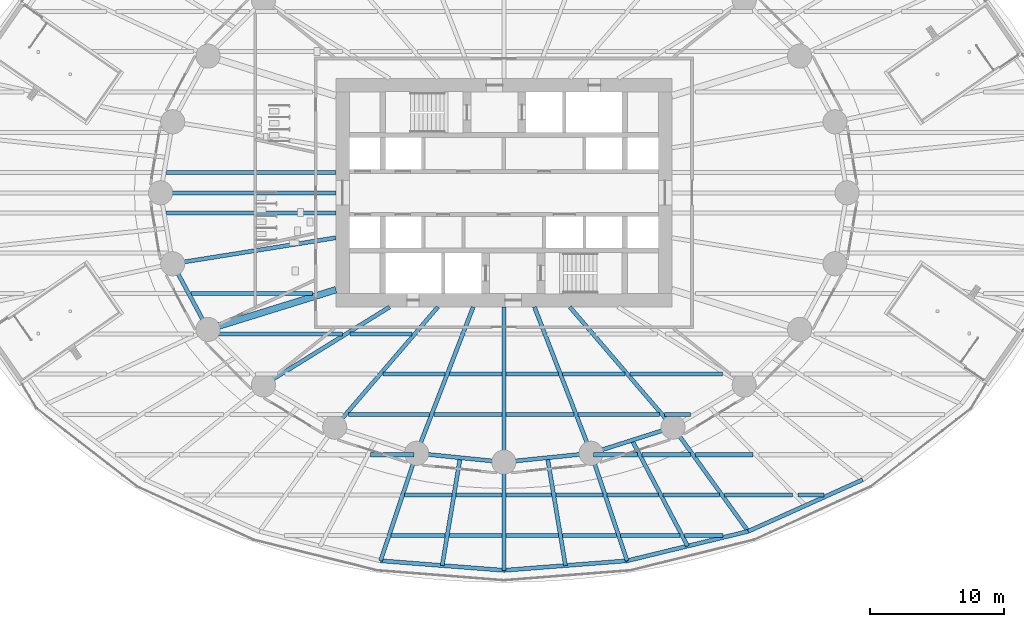
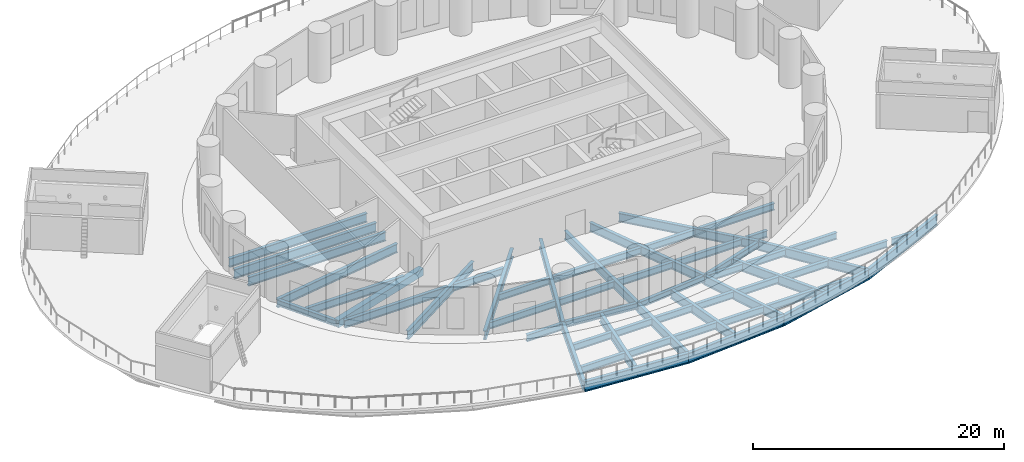
# One storey, part 2 of 17: 57 beams.
"""IFC4 building model written with IfcOpenShell, lengths in metres."""

from ifc_helpers import new_model, si_unit, direction, frame, origin, origin_2d, place, context, subcontext, project, spatial, hollow_rectangle, i_section, extrude, material, material_profile, profile_set, type_object, element, save


model = new_model("IFC4")

# Units and contexts
model_context = context("Model", 3, precision=1e-05, world=origin(), true_north=direction((0.0, 1.0)))
body_context = subcontext(model_context, "Body", "Model", "MODEL_VIEW")
ifc_project = project(units=[si_unit("LENGTHUNIT", "METRE"), si_unit("AREAUNIT", "SQUARE_METRE"), si_unit("VOLUMEUNIT", "CUBIC_METRE"), si_unit("PLANEANGLEUNIT", "RADIAN"), si_unit("MASSUNIT", "GRAM", prefix="KILO")], contexts=[model_context])

# Site, building, storey
site_placement = place(None, origin())
site = spatial("IfcSite", under=ifc_project, at=site_placement, CompositionType="ELEMENT")
building_placement = place(site_placement, origin())
building = spatial("IfcBuilding", under=site, at=building_placement, Name="Hankou Lantern Tower", CompositionType="ELEMENT")
storey_placement = place(building_placement, frame((0.0, 0.0, 24.60009765625)))
storey = spatial("IfcBuildingStorey", under=building, at=storey_placement, Name="L04", CompositionType="ELEMENT", Elevation=24.60009765625)

# Beams
ifc_material_1 = material(Name="Steel Q355B", Category="steel")
ifc_material_profile_1 = material_profile(ifc_material_1, i_section(OverallWidth=0.300048828125, OverallDepth=0.587890625, WebThickness=0.011962890625, FlangeThickness=0.02001953125, FilletRadius=0.01806640625, at=origin_2d()), Name="HM588x300x12x20")
ifc_profile_set_1 = profile_set([ifc_material_profile_1], Name="Steel Q355B")
beam_type_1 = type_object("IfcBeamType", Name="EB16 RING BEAM HM588x300x12x20", PredefinedType="SPANDREL", material=ifc_profile_set_1)
beam_1_placement = place(storey_placement, frame((-24.64697265625, -5.283203125, -0.544189453125), z_axis=(0.473609096023, -0.880735161194, 0.0), x_axis=(0.880735161194, 0.473609096023, 0.0)))
element("IfcBeam", 1, at=beam_1_placement, inside=storey, type_object=beam_type_1, Name="Ring beam R14-R15 L04", PredefinedType="SPANDREL", context=body_context, shape_type="SweptSolid", body=[
    extrude(i_section(OverallWidth=0.300048828125, OverallDepth=0.587890625, WebThickness=0.011962890625, FlangeThickness=0.02001953125, FilletRadius=0.01806640625, at=origin_2d()), origin(), (0.0, 0.0, 1.0), 5.548828125),
])
for number, where, z_axis, x_axis, name in (
    (2, (-6.494873046875, -19.391357421875, -0.544189453125), (0.994896616842, -0.100899562915, 0.0), (0.100899562915, 0.994896616842, 0.0), "Ring beam R18-R19 L04"),
    (3, (0.0, -20.050048828125, -0.544189453125), (0.994896616842, 0.100899562915, 0.0), (-0.100899562915, 0.994896616842, 0.0), "Ring beam R19-R20 L04"),
):
    element("IfcBeam", number, at=place(storey_placement, frame(where, z_axis=z_axis, x_axis=x_axis)), inside=storey, type_object=beam_type_1, Name=name, PredefinedType="SPANDREL", context=body_context, shape_type="SweptSolid", body=[
        extrude(i_section(OverallWidth=0.300048828125, OverallDepth=0.587890625, WebThickness=0.011962890625, FlangeThickness=0.02001953125, FilletRadius=0.01806640625, at=origin_2d()), origin(), (0.0, 0.0, 1.0), 6.528076171875),
    ])
beam_2_placement = place(storey_placement, frame((6.494873046875, -19.391357421875, -0.544189453125), z_axis=(0.952690479428, 0.303942182671, 0.0), x_axis=(-0.303942182671, 0.952690479428, 0.0)))
element("IfcBeam", 4, at=beam_2_placement, inside=storey, type_object=beam_type_1, Name="Ring beam R20-R21 L04", PredefinedType="SPANDREL", context=body_context, shape_type="SweptSolid", body=[
    extrude(i_section(OverallWidth=0.300048828125, OverallDepth=0.587890625, WebThickness=0.011962890625, FlangeThickness=0.02001953125, FilletRadius=0.01806640625, at=origin_2d()), origin(), (0.0, 0.0, 1.0), 6.398681640625),
])
ifc_material_2 = material(Name="Steel Q355B", Category="steel")
ifc_material_profile_2 = material_profile(ifc_material_2, i_section(OverallWidth=0.300048828125, OverallDepth=0.89990234375, WebThickness=0.01611328125, FlangeThickness=0.028076171875, FilletRadius=0.01806640625, at=origin_2d()), Name="HN900x300x16x28")
ifc_profile_set_2 = profile_set([ifc_material_profile_2], Name="Steel Q355B")
beam_type_2 = type_object("IfcBeamType", Name="PB13 PODIUM RADIAL BEAM HN900x300x16x28", PredefinedType="BEAM", material=ifc_profile_set_2)
beam_3_placement = place(storey_placement, frame((-6.494873046875, -19.391357421875, -0.7001953125), z_axis=(-0.317599116391, -0.948225079434, 0.0), x_axis=(0.948225079434, -0.317599116391, 0.0)))
element("IfcBeam", 5, at=beam_3_placement, inside=storey, type_object=beam_type_2, Name="Podium radial beam R18 L04", PredefinedType="BEAM", context=body_context, shape_type="SweptSolid", body=[
    extrude(i_section(OverallWidth=0.300048828125, OverallDepth=0.89990234375, WebThickness=0.01611328125, FlangeThickness=0.028076171875, FilletRadius=0.01806640625, at=origin_2d()), origin(), (0.0, 0.0, 1.0), 8.4365234375),
])
beam_4_placement = place(storey_placement, frame((0.0, -20.050048828125, -0.7001953125), z_axis=(0.0, -1.0, 0.0), x_axis=(1.0, 0.0, 0.0)))
element("IfcBeam", 6, at=beam_4_placement, inside=storey, type_object=beam_type_2, Name="Podium radial beam R19 L04", PredefinedType="BEAM", context=body_context, shape_type="SweptSolid", body=[
    extrude(i_section(OverallWidth=0.300048828125, OverallDepth=0.89990234375, WebThickness=0.01611328125, FlangeThickness=0.028076171875, FilletRadius=0.01806640625, at=origin_2d()), origin(), (0.0, 0.0, 1.0), 8.050048828125),
])
beam_5_placement = place(storey_placement, frame((6.494873046875, -19.391357421875, -0.7001953125), z_axis=(0.317599116391, -0.948225079434, 0.0), x_axis=(0.948225079434, 0.317599116391, 0.0)))
element("IfcBeam", 7, at=beam_5_placement, inside=storey, type_object=beam_type_2, Name="Podium radial beam R20 L04", PredefinedType="BEAM", context=body_context, shape_type="SweptSolid", body=[
    extrude(i_section(OverallWidth=0.300048828125, OverallDepth=0.89990234375, WebThickness=0.01611328125, FlangeThickness=0.028076171875, FilletRadius=0.01806640625, at=origin_2d()), origin(), (0.0, 0.0, 1.0), 8.4365234375),
])
beam_6_placement = place(storey_placement, frame((12.5908203125, -17.446533203125, -0.7001953125), z_axis=(0.585207097055, -0.810883871807, 0.0), x_axis=(0.810883871807, 0.585207097055, 0.0)))
element("IfcBeam", 8, at=beam_6_placement, inside=storey, type_object=beam_type_2, Name="Podium radial beam R21 L04", PredefinedType="BEAM", context=body_context, shape_type="SweptSolid", body=[
    extrude(i_section(OverallWidth=0.300048828125, OverallDepth=0.89990234375, WebThickness=0.01611328125, FlangeThickness=0.028076171875, FilletRadius=0.01806640625, at=origin_2d()), origin(), (0.0, 0.0, 1.0), 9.56103515625),
])
ifc_material_3 = material(Name="Steel Q355B", Category="steel")
ifc_material_profile_3 = material_profile(ifc_material_3, i_section(OverallWidth=0.300048828125, OverallDepth=1.0, WebThickness=0.01904296875, FlangeThickness=0.035888671875, FilletRadius=0.01806640625, at=origin_2d()), Name="HN1000x300x19x36")
ifc_profile_set_3 = profile_set([ifc_material_profile_3], Name="Steel Q355B")
beam_type_3 = type_object("IfcBeamType", Name="PR22 PODIUM RING BEAM HN1000x300x19x36", PredefinedType="BEAM", material=ifc_profile_set_3)
for number, where, z_axis, x_axis, name in (
    (9, (-9.17431640625, -27.39111328125, -0.75), (0.997027266507, -0.077049528499, 0.0), (0.077049528499, 0.997027266507, 0.0), "Podium ring beam R18-R19 L04"),
    (10, (0.0, -28.10009765625, -0.75), (0.997027266507, 0.077049528499, 0.0), (-0.077049528499, 0.997027266507, 0.0), "Podium ring beam R19-R20 L04"),
):
    element("IfcBeam", number, at=place(storey_placement, frame(where, z_axis=z_axis, x_axis=x_axis)), inside=storey, type_object=beam_type_3, Name=name, PredefinedType="BEAM", context=body_context, shape_type="SweptSolid", body=[
        extrude(i_section(OverallWidth=0.300048828125, OverallDepth=1.0, WebThickness=0.01904296875, FlangeThickness=0.035888671875, FilletRadius=0.01806640625, at=origin_2d()), origin(), (0.0, 0.0, 1.0), 9.20166015625),
    ])
beam_7_placement = place(storey_placement, frame((9.17431640625, -27.39111328125, -0.75), z_axis=(0.971677242441, 0.23631194748, 0.0), x_axis=(-0.23631194748, 0.971677242441, 0.0)))
element("IfcBeam", 11, at=beam_7_placement, inside=storey, type_object=beam_type_3, Name="Podium ring beam R20-R21 L04", PredefinedType="BEAM", context=body_context, shape_type="SweptSolid", body=[
    extrude(i_section(OverallWidth=0.300048828125, OverallDepth=1.0, WebThickness=0.01904296875, FlangeThickness=0.035888671875, FilletRadius=0.01806640625, at=origin_2d()), origin(), (0.0, 0.0, 1.0), 9.2744140625),
])
beam_8_placement = place(storey_placement, frame((18.18603515625, -25.199462890625, -0.75), z_axis=(0.911695429723, 0.410866697874, 0.0), x_axis=(-0.410866697874, 0.911695429723, 0.0)))
element("IfcBeam", 12, at=beam_8_placement, inside=storey, type_object=beam_type_3, Name="Podium ring beam R21-R22 L04", PredefinedType="BEAM", context=body_context, shape_type="SweptSolid", body=[
    extrude(i_section(OverallWidth=0.300048828125, OverallDepth=1.0, WebThickness=0.01904296875, FlangeThickness=0.035888671875, FilletRadius=0.01806640625, at=origin_2d()), origin(), (0.0, 0.0, 1.0), 9.341064453125),
])
ifc_material_4 = material(Name="Steel Q355B", Category="steel")
ifc_material_profile_4 = material_profile(ifc_material_4, i_section(OverallWidth=0.300048828125, OverallDepth=0.89990234375, WebThickness=0.01611328125, FlangeThickness=0.028076171875, FilletRadius=0.01806640625, at=origin_2d()), Name="HN900x300x16x28")
ifc_profile_set_4 = profile_set([ifc_material_profile_4], Name="Steel Q355B")
beam_type_4 = type_object("IfcBeamType", Name="PS13 PODIUM SECONDARY BEAM HN900x300x16x28", PredefinedType="JOIST", material=ifc_profile_set_4)
for number, where, z_axis, x_axis, name in (
    (13, (-3.24755859375, -19.720703125, -0.7001953125), (-0.164652019445, -0.986351718452, 0.0), (0.986351718452, -0.164652019445, 0.0), "Podium secondary beam bay R18 L04"),
    (14, (3.24755859375, -19.720703125, -0.7001953125), (0.164652019445, -0.986351718452, 0.0), (0.986351718452, 0.164652019445, 0.0), "Podium secondary beam bay R19 L04"),
):
    element("IfcBeam", number, at=place(storey_placement, frame(where, z_axis=z_axis, x_axis=x_axis)), inside=storey, type_object=beam_type_4, Name=name, PredefinedType="JOIST", context=body_context, shape_type="SweptSolid", body=[
        extrude(i_section(OverallWidth=0.300048828125, OverallDepth=0.89990234375, WebThickness=0.01611328125, FlangeThickness=0.028076171875, FilletRadius=0.01806640625, at=origin_2d()), origin(), (0.0, 0.0, 1.0), 8.135986328125),
    ])
beam_9_placement = place(storey_placement, frame((9.54296875, -18.4189453125, -0.7001953125), z_axis=(0.465026961303, -0.88529651827, 0.0), x_axis=(0.88529651827, 0.465026961303, 0.0)))
element("IfcBeam", 15, at=beam_9_placement, inside=storey, type_object=beam_type_4, Name="Podium secondary beam bay R20 L04", PredefinedType="JOIST", context=body_context, shape_type="SweptSolid", body=[
    extrude(i_section(OverallWidth=0.300048828125, OverallDepth=0.89990234375, WebThickness=0.01611328125, FlangeThickness=0.028076171875, FilletRadius=0.01806640625, at=origin_2d()), origin(), (0.0, 0.0, 1.0), 8.896728515625),
])
ifc_material_5 = material(Name="Steel Q355B", Category="steel")
ifc_material_profile_5 = material_profile(ifc_material_5, i_section(OverallWidth=0.300048828125, OverallDepth=0.85009765625, WebThickness=0.01611328125, FlangeThickness=0.027099609375, FilletRadius=0.01806640625, at=origin_2d()), Name="HN850x300x16x27")
ifc_profile_set_5 = profile_set([ifc_material_profile_5], Name="Steel Q355B")
beam_type_5 = type_object("IfcBeamType", Name="RB12 RADIAL BEAM HN850x300x16x27", PredefinedType="BEAM", material=ifc_profile_set_5)
beam_10_placement = place(storey_placement, frame((-12.5, -3.349365234375, -0.675048828125), z_axis=(-0.987563081343, -0.157223281893, 0.0), x_axis=(0.157223281893, -0.987563081343, 0.0)))
element("IfcBeam", 16, at=beam_10_placement, inside=storey, type_object=beam_type_5, Name="Radial beam R14 L04", PredefinedType="BEAM", context=body_context, shape_type="SweptSolid", body=[
    extrude(i_section(OverallWidth=0.300048828125, OverallDepth=0.85009765625, WebThickness=0.01611328125, FlangeThickness=0.027099609375, FilletRadius=0.01806640625, at=origin_2d()), origin(), (0.0, 0.0, 1.0), 12.300048828125),
])
beam_11_placement = place(storey_placement, frame((-8.5, -8.5, -0.675048828125), z_axis=(-0.850286343288, -0.526320372414, 0.0), x_axis=(0.526320372414, -0.850286343288, 0.0)))
element("IfcBeam", 17, at=beam_11_placement, inside=storey, type_object=beam_type_5, Name="Radial beam R16 L04", PredefinedType="BEAM", context=body_context, shape_type="SweptSolid", body=[
    extrude(i_section(OverallWidth=0.300048828125, OverallDepth=0.85009765625, WebThickness=0.01611328125, FlangeThickness=0.027099609375, FilletRadius=0.01806640625, at=origin_2d()), origin(), (0.0, 0.0, 1.0), 11.04541015625),
])
beam_12_placement = place(storey_placement, frame((-4.907470703125, -8.5, -0.675048828125), z_axis=(-0.651519061225, -0.758632264579, 0.0), x_axis=(0.758632264579, -0.651519061225, 0.0)))
element("IfcBeam", 18, at=beam_12_placement, inside=storey, type_object=beam_type_5, Name="Radial beam R17 L04", PredefinedType="BEAM", context=body_context, shape_type="SweptSolid", body=[
    extrude(i_section(OverallWidth=0.300048828125, OverallDepth=0.85009765625, WebThickness=0.01611328125, FlangeThickness=0.027099609375, FilletRadius=0.01806640625, at=origin_2d()), origin(), (0.0, 0.0, 1.0), 11.79296875),
])
beam_13_placement = place(storey_placement, frame((-2.277587890625, -8.5, -0.675048828125), z_axis=(-0.361089103374, -0.932531318201, 0.0), x_axis=(0.932531318201, -0.361089103374, 0.0)))
element("IfcBeam", 19, at=beam_13_placement, inside=storey, type_object=beam_type_5, Name="Radial beam R18 L04", PredefinedType="BEAM", context=body_context, shape_type="SweptSolid", body=[
    extrude(i_section(OverallWidth=0.300048828125, OverallDepth=0.85009765625, WebThickness=0.01611328125, FlangeThickness=0.027099609375, FilletRadius=0.01806640625, at=origin_2d()), origin(), (0.0, 0.0, 1.0), 11.679443359375),
])
beam_14_placement = place(storey_placement, frame((0.0, -8.5, -0.675048828125), z_axis=(0.0, -1.0, 0.0), x_axis=(1.0, 0.0, 0.0)))
element("IfcBeam", 20, at=beam_14_placement, inside=storey, type_object=beam_type_5, Name="Radial beam R19 L04", PredefinedType="BEAM", context=body_context, shape_type="SweptSolid", body=[
    extrude(i_section(OverallWidth=0.300048828125, OverallDepth=0.85009765625, WebThickness=0.01611328125, FlangeThickness=0.027099609375, FilletRadius=0.01806640625, at=origin_2d()), origin(), (0.0, 0.0, 1.0), 11.550048828125),
])
beam_15_placement = place(storey_placement, frame((2.277587890625, -8.5, -0.675048828125), z_axis=(0.361089103374, -0.932531318201, 0.0), x_axis=(0.932531318201, 0.361089103374, 0.0)))
element("IfcBeam", 21, at=beam_15_placement, inside=storey, type_object=beam_type_5, Name="Radial beam R20 L04", PredefinedType="BEAM", context=body_context, shape_type="SweptSolid", body=[
    extrude(i_section(OverallWidth=0.300048828125, OverallDepth=0.85009765625, WebThickness=0.01611328125, FlangeThickness=0.027099609375, FilletRadius=0.01806640625, at=origin_2d()), origin(), (0.0, 0.0, 1.0), 11.679443359375),
])
beam_16_placement = place(storey_placement, frame((4.907470703125, -8.5, -0.675048828125), z_axis=(0.651519061225, -0.758632264579, 0.0), x_axis=(0.758632264579, 0.651519061225, 0.0)))
element("IfcBeam", 22, at=beam_16_placement, inside=storey, type_object=beam_type_5, Name="Radial beam R21 L04", PredefinedType="BEAM", context=body_context, shape_type="SweptSolid", body=[
    extrude(i_section(OverallWidth=0.300048828125, OverallDepth=0.85009765625, WebThickness=0.01611328125, FlangeThickness=0.027099609375, FilletRadius=0.01806640625, at=origin_2d()), origin(), (0.0, 0.0, 1.0), 11.79296875),
])
ifc_material_6 = material(Name="Steel Q355B", Category="steel")
ifc_material_profile_6 = material_profile(ifc_material_6, i_section(OverallWidth=0.300048828125, OverallDepth=0.89990234375, WebThickness=0.01611328125, FlangeThickness=0.028076171875, FilletRadius=0.01806640625, at=origin_2d()), Name="HN900x300x16x28")
ifc_profile_set_6 = profile_set([ifc_material_profile_6], Name="Steel Q355B")
beam_type_6 = type_object("IfcBeamType", Name="RB13 RADIAL BEAM HN900x300x16x28", PredefinedType="BEAM", material=ifc_profile_set_6)
beam_17_placement = place(storey_placement, frame((-12.5, 0.0, -0.7001953125), z_axis=(-1.0, 0.0, 0.0), x_axis=(0.0, -1.0, 0.0)))
element("IfcBeam", 23, at=beam_17_placement, inside=storey, type_object=beam_type_6, Name="Radial beam R13 L04", PredefinedType="BEAM", context=body_context, shape_type="SweptSolid", body=[
    extrude(i_section(OverallWidth=0.300048828125, OverallDepth=0.89990234375, WebThickness=0.01611328125, FlangeThickness=0.028076171875, FilletRadius=0.01806640625, at=origin_2d()), origin(), (0.0, 0.0, 1.0), 13.050048828125),
])
ifc_material_7 = material(Name="Steel Q355B", Category="steel")
ifc_material_profile_7 = material_profile(ifc_material_7, hollow_rectangle(XDim=0.5, YDim=0.699951171875, WallThickness=0.0400390625, at=origin_2d()), Name="BOX700x500x40")
ifc_profile_set_7 = profile_set([ifc_material_profile_7], Name="Steel Q355B")
beam_type_7 = type_object("IfcBeamType", Name="RB25 RADIAL BEAM BOX700x500x40", PredefinedType="BEAM", material=ifc_profile_set_7)
beam_18_placement = place(storey_placement, frame((-12.5, -7.216796875, -0.60009765625), z_axis=(-0.955087327755, -0.29632447817, 0.0), x_axis=(0.29632447817, -0.955087327755, 0.0)))
element("IfcBeam", 24, at=beam_18_placement, inside=storey, type_object=beam_type_7, Name="Radial beam R15 L04", PredefinedType="BEAM", context=body_context, shape_type="SweptSolid", body=[
    extrude(hollow_rectangle(XDim=0.5, YDim=0.699951171875, WallThickness=0.0400390625, at=origin_2d()), origin(), (0.0, 0.0, 1.0), 9.966552734375),
])
ifc_material_8 = material(Name="Steel Q355B", Category="steel")
ifc_material_profile_8 = material_profile(ifc_material_8, i_section(OverallWidth=0.300048828125, OverallDepth=0.75, WebThickness=0.012939453125, FlangeThickness=0.02392578125, FilletRadius=0.01806640625, at=origin_2d()), Name="HN750x300x13x24")
ifc_profile_set_8 = profile_set([ifc_material_profile_8], Name="Steel Q355B")
beam_type_8 = type_object("IfcBeamType", Name="SB10 SECONDARY BEAM HN750x300x13x24", PredefinedType="JOIST", material=ifc_profile_set_8)
beam_19_placement = place(storey_placement, frame((-21.478759765625, -10.5, -0.625), z_axis=(1.0, 0.0, 0.0), x_axis=(0.0, 1.0, 0.0)))
element("IfcBeam", 25, at=beam_19_placement, inside=storey, type_object=beam_type_8, Name="Floor joist J015 L04", PredefinedType="JOIST", context=body_context, shape_type="SweptSolid", body=[
    extrude(i_section(OverallWidth=0.300048828125, OverallDepth=0.75, WebThickness=0.012939453125, FlangeThickness=0.02392578125, FilletRadius=0.01806640625, at=origin_2d()), origin(), (0.0, 0.0, 1.0), 9.462646484375),
])
beam_20_placement = place(storey_placement, frame((-23.28466796875, -7.5, -0.625), z_axis=(1.0, 0.0, 0.0), x_axis=(0.0, 1.0, 0.0)))
element("IfcBeam", 26, at=beam_20_placement, inside=storey, type_object=beam_type_8, Name="Floor joist J023 L04", PredefinedType="JOIST", context=body_context, shape_type="SweptSolid", body=[
    extrude(i_section(OverallWidth=0.300048828125, OverallDepth=0.75, WebThickness=0.012939453125, FlangeThickness=0.02392578125, FilletRadius=0.01806640625, at=origin_2d()), origin(), (0.0, 0.0, 1.0), 9.0283203125),
])
ifc_material_9 = material(Name="Steel Q355B", Category="steel")
ifc_material_profile_9 = material_profile(ifc_material_9, i_section(OverallWidth=0.300048828125, OverallDepth=0.85009765625, WebThickness=0.01611328125, FlangeThickness=0.027099609375, FilletRadius=0.01806640625, at=origin_2d()), Name="HN850x300x16x27")
ifc_profile_set_9 = profile_set([ifc_material_profile_9], Name="Steel Q355B")
beam_type_9 = type_object("IfcBeamType", Name="SB12 SECONDARY BEAM HN850x300x16x27", PredefinedType="JOIST", material=ifc_profile_set_9)
for number, where, z_axis, x_axis, name in (
    (27, (-25.141357421875, -1.5, -0.675048828125), (1.0, 0.0, 0.0), (0.0, 1.0, 0.0), "Floor joist J029 L04"),
    (28, (-25.141357421875, 1.5, -0.675048828125), (1.0, 0.0, 0.0), (0.0, 1.0, 0.0), "Floor joist J031 L04"),
):
    element("IfcBeam", number, at=place(storey_placement, frame(where, z_axis=z_axis, x_axis=x_axis)), inside=storey, type_object=beam_type_9, Name=name, PredefinedType="JOIST", context=body_context, shape_type="SweptSolid", body=[
        extrude(i_section(OverallWidth=0.300048828125, OverallDepth=0.85009765625, WebThickness=0.01611328125, FlangeThickness=0.027099609375, FilletRadius=0.01806640625, at=origin_2d()), origin(), (0.0, 0.0, 1.0), 12.641357421875),
    ])
ifc_material_10 = material(Name="Steel Q355B", Category="steel")
ifc_material_profile_10 = material_profile(ifc_material_10, i_section(OverallWidth=0.300048828125, OverallDepth=0.64990234375, WebThickness=0.010986328125, FlangeThickness=0.01708984375, FilletRadius=0.01806640625, at=origin_2d()), Name="HN650x300x11x17")
ifc_profile_set_10 = profile_set([ifc_material_profile_10], Name="Steel Q355B")
beam_type_10 = type_object("IfcBeamType", Name="SB8 SECONDARY BEAM HN650x300x11x17", PredefinedType="JOIST", material=ifc_profile_set_10)
beam_21_placement = place(storey_placement, frame((-11.580322265625, -16.5, -0.5751953125), z_axis=(1.0, 0.0, 0.0), x_axis=(0.0, 1.0, 0.0)))
element("IfcBeam", 29, at=beam_21_placement, inside=storey, type_object=beam_type_10, Name="Floor joist J002 L04", PredefinedType="JOIST", context=body_context, shape_type="SweptSolid", body=[
    extrude(i_section(OverallWidth=0.300048828125, OverallDepth=0.64990234375, WebThickness=0.010986328125, FlangeThickness=0.01708984375, FilletRadius=0.01806640625, at=origin_2d()), origin(), (0.0, 0.0, 1.0), 6.044189453125),
])
for number, where, z_axis, x_axis, name in (
    (30, (-5.21435546875, -16.5, -0.5751953125), (1.0, 0.0, 0.0), (0.0, 1.0, 0.0), "Floor joist J003 L04"),
    (31, (0.14990234375, -16.5, -0.5751953125), (1.0, 0.0, 0.0), (0.0, 1.0, 0.0), "Floor joist J004 L04"),
):
    element("IfcBeam", number, at=place(storey_placement, frame(where, z_axis=z_axis, x_axis=x_axis)), inside=storey, type_object=beam_type_10, Name=name, PredefinedType="JOIST", context=body_context, shape_type="SweptSolid", body=[
        extrude(i_section(OverallWidth=0.300048828125, OverallDepth=0.64990234375, WebThickness=0.010986328125, FlangeThickness=0.01708984375, FilletRadius=0.01806640625, at=origin_2d()), origin(), (0.0, 0.0, 1.0), 5.064453125),
    ])
beam_22_placement = place(storey_placement, frame((5.5361328125, -16.5, -0.5751953125), z_axis=(1.0, 0.0, 0.0), x_axis=(0.0, 1.0, 0.0)))
element("IfcBeam", 32, at=beam_22_placement, inside=storey, type_object=beam_type_10, Name="Floor joist J005 L04", PredefinedType="JOIST", context=body_context, shape_type="SweptSolid", body=[
    extrude(i_section(OverallWidth=0.300048828125, OverallDepth=0.64990234375, WebThickness=0.010986328125, FlangeThickness=0.01708984375, FilletRadius=0.01806640625, at=origin_2d()), origin(), (0.0, 0.0, 1.0), 6.044189453125),
])
beam_23_placement = place(storey_placement, frame((11.975830078125, -16.5, -0.5751953125), z_axis=(1.0, 0.0, 0.0), x_axis=(0.0, 1.0, 0.0)))
element("IfcBeam", 33, at=beam_23_placement, inside=storey, type_object=beam_type_10, Name="Floor joist J006 L04", PredefinedType="JOIST", context=body_context, shape_type="SweptSolid", body=[
    extrude(i_section(OverallWidth=0.300048828125, OverallDepth=0.64990234375, WebThickness=0.010986328125, FlangeThickness=0.01708984375, FilletRadius=0.01806640625, at=origin_2d()), origin(), (0.0, 0.0, 1.0), 1.921630859375),
])
beam_24_placement = place(storey_placement, frame((-9.00390625, -13.5, -0.5751953125), z_axis=(1.0, 0.0, 0.0), x_axis=(0.0, 1.0, 0.0)))
element("IfcBeam", 34, at=beam_24_placement, inside=storey, type_object=beam_type_10, Name="Floor joist J009 L04", PredefinedType="JOIST", context=body_context, shape_type="SweptSolid", body=[
    extrude(i_section(OverallWidth=0.300048828125, OverallDepth=0.64990234375, WebThickness=0.010986328125, FlangeThickness=0.01708984375, FilletRadius=0.01806640625, at=origin_2d()), origin(), (0.0, 0.0, 1.0), 4.62939453125),
])
for number, where, z_axis, x_axis, name in (
    (35, (-4.052734375, -13.5, -0.5751953125), (1.0, 0.0, 0.0), (0.0, 1.0, 0.0), "Floor joist J010 L04"),
    (36, (0.14990234375, -13.5, -0.5751953125), (1.0, 0.0, 0.0), (0.0, 1.0, 0.0), "Floor joist J011 L04"),
):
    element("IfcBeam", number, at=place(storey_placement, frame(where, z_axis=z_axis, x_axis=x_axis)), inside=storey, type_object=beam_type_10, Name=name, PredefinedType="JOIST", context=body_context, shape_type="SweptSolid", body=[
        extrude(i_section(OverallWidth=0.300048828125, OverallDepth=0.64990234375, WebThickness=0.010986328125, FlangeThickness=0.01708984375, FilletRadius=0.01806640625, at=origin_2d()), origin(), (0.0, 0.0, 1.0), 3.90283203125),
    ])
beam_25_placement = place(storey_placement, frame((4.37451171875, -13.5, -0.5751953125), z_axis=(1.0, 0.0, 0.0), x_axis=(0.0, 1.0, 0.0)))
element("IfcBeam", 37, at=beam_25_placement, inside=storey, type_object=beam_type_10, Name="Floor joist J012 L04", PredefinedType="JOIST", context=body_context, shape_type="SweptSolid", body=[
    extrude(i_section(OverallWidth=0.300048828125, OverallDepth=0.64990234375, WebThickness=0.010986328125, FlangeThickness=0.01708984375, FilletRadius=0.01806640625, at=origin_2d()), origin(), (0.0, 0.0, 1.0), 4.62939453125),
])
beam_26_placement = place(storey_placement, frame((9.3994140625, -13.5, -0.5751953125), z_axis=(1.0, 0.0, 0.0), x_axis=(0.0, 1.0, 0.0)))
element("IfcBeam", 38, at=beam_26_placement, inside=storey, type_object=beam_type_10, Name="Floor joist J013 L04", PredefinedType="JOIST", context=body_context, shape_type="SweptSolid", body=[
    extrude(i_section(OverallWidth=0.300048828125, OverallDepth=0.64990234375, WebThickness=0.010986328125, FlangeThickness=0.01708984375, FilletRadius=0.01806640625, at=origin_2d()), origin(), (0.0, 0.0, 1.0), 6.893310546875),
])
beam_27_placement = place(storey_placement, frame((-11.446044921875, -10.5, -0.5751953125), z_axis=(1.0, 0.0, 0.0), x_axis=(0.0, 1.0, 0.0)))
element("IfcBeam", 39, at=beam_27_placement, inside=storey, type_object=beam_type_10, Name="Floor joist J016 L04", PredefinedType="JOIST", context=body_context, shape_type="SweptSolid", body=[
    extrude(i_section(OverallWidth=0.300048828125, OverallDepth=0.64990234375, WebThickness=0.010986328125, FlangeThickness=0.01708984375, FilletRadius=0.01806640625, at=origin_2d()), origin(), (0.0, 0.0, 1.0), 4.623291015625),
])
beam_28_placement = place(storey_placement, frame((-8.3828125, -25.5, -0.5751953125), z_axis=(1.0, 0.0, 0.0), x_axis=(0.0, 1.0, 0.0)))
element("IfcBeam", 40, at=beam_28_placement, inside=storey, type_object=beam_type_10, Name="Floor joist JT003 L04", PredefinedType="JOIST", context=body_context, shape_type="SweptSolid", body=[
    extrude(i_section(OverallWidth=0.300048828125, OverallDepth=0.64990234375, WebThickness=0.010986328125, FlangeThickness=0.01708984375, FilletRadius=0.01806640625, at=origin_2d()), origin(), (0.0, 0.0, 1.0), 4.0185546875),
])
for number, where, z_axis, x_axis, name in (
    (41, (-4.060302734375, -25.5, -0.5751953125), (1.0, 0.0, 0.0), (0.0, 1.0, 0.0), "Floor joist JT004 L04"),
    (42, (0.14990234375, -25.5, -0.5751953125), (1.0, 0.0, 0.0), (0.0, 1.0, 0.0), "Floor joist JT005 L04"),
):
    element("IfcBeam", number, at=place(storey_placement, frame(where, z_axis=z_axis, x_axis=x_axis)), inside=storey, type_object=beam_type_10, Name=name, PredefinedType="JOIST", context=body_context, shape_type="SweptSolid", body=[
        extrude(i_section(OverallWidth=0.300048828125, OverallDepth=0.64990234375, WebThickness=0.010986328125, FlangeThickness=0.01708984375, FilletRadius=0.01806640625, at=origin_2d()), origin(), (0.0, 0.0, 1.0), 3.910400390625),
    ])
beam_29_placement = place(storey_placement, frame((4.3642578125, -25.5, -0.5751953125), z_axis=(1.0, 0.0, 0.0), x_axis=(0.0, 1.0, 0.0)))
element("IfcBeam", 43, at=beam_29_placement, inside=storey, type_object=beam_type_10, Name="Floor joist JT006 L04", PredefinedType="JOIST", context=body_context, shape_type="SweptSolid", body=[
    extrude(i_section(OverallWidth=0.300048828125, OverallDepth=0.64990234375, WebThickness=0.010986328125, FlangeThickness=0.01708984375, FilletRadius=0.01806640625, at=origin_2d()), origin(), (0.0, 0.0, 1.0), 4.0185546875),
])
beam_30_placement = place(storey_placement, frame((8.698974609375, -25.5, -0.5751953125), z_axis=(1.0, 0.0, 0.0), x_axis=(0.0, 1.0, 0.0)))
element("IfcBeam", 44, at=beam_30_placement, inside=storey, type_object=beam_type_10, Name="Floor joist JT007 L04", PredefinedType="JOIST", context=body_context, shape_type="SweptSolid", body=[
    extrude(i_section(OverallWidth=0.300048828125, OverallDepth=0.64990234375, WebThickness=0.010986328125, FlangeThickness=0.01708984375, FilletRadius=0.01806640625, at=origin_2d()), origin(), (0.0, 0.0, 1.0), 4.39404296875),
])
beam_31_placement = place(storey_placement, frame((13.431884765625, -25.5, -0.5751953125), z_axis=(1.0, 0.0, 0.0), x_axis=(0.0, 1.0, 0.0)))
element("IfcBeam", 45, at=beam_31_placement, inside=storey, type_object=beam_type_10, Name="Floor joist JT008 L04", PredefinedType="JOIST", context=body_context, shape_type="SweptSolid", body=[
    extrude(i_section(OverallWidth=0.300048828125, OverallDepth=0.64990234375, WebThickness=0.010986328125, FlangeThickness=0.01708984375, FilletRadius=0.01806640625, at=origin_2d()), origin(), (0.0, 0.0, 1.0), 2.883544921875),
])
beam_32_placement = place(storey_placement, frame((-7.3779296875, -22.5, -0.5751953125), z_axis=(1.0, 0.0, 0.0), x_axis=(0.0, 1.0, 0.0)))
element("IfcBeam", 46, at=beam_32_placement, inside=storey, type_object=beam_type_10, Name="Floor joist JT013 L04", PredefinedType="JOIST", context=body_context, shape_type="SweptSolid", body=[
    extrude(i_section(OverallWidth=0.300048828125, OverallDepth=0.64990234375, WebThickness=0.010986328125, FlangeThickness=0.01708984375, FilletRadius=0.01806640625, at=origin_2d()), origin(), (0.0, 0.0, 1.0), 3.514404296875),
])
for number, where, z_axis, x_axis, name in (
    (47, (-3.559326171875, -22.5, -0.5751953125), (1.0, 0.0, 0.0), (0.0, 1.0, 0.0), "Floor joist JT014 L04"),
    (48, (0.14990234375, -22.5, -0.5751953125), (1.0, 0.0, 0.0), (0.0, 1.0, 0.0), "Floor joist JT015 L04"),
):
    element("IfcBeam", number, at=place(storey_placement, frame(where, z_axis=z_axis, x_axis=x_axis)), inside=storey, type_object=beam_type_10, Name=name, PredefinedType="JOIST", context=body_context, shape_type="SweptSolid", body=[
        extrude(i_section(OverallWidth=0.300048828125, OverallDepth=0.64990234375, WebThickness=0.010986328125, FlangeThickness=0.01708984375, FilletRadius=0.01806640625, at=origin_2d()), origin(), (0.0, 0.0, 1.0), 3.409423828125),
    ])
beam_33_placement = place(storey_placement, frame((3.863525390625, -22.5, -0.5751953125), z_axis=(1.0, 0.0, 0.0), x_axis=(0.0, 1.0, 0.0)))
element("IfcBeam", 49, at=beam_33_placement, inside=storey, type_object=beam_type_10, Name="Floor joist JT016 L04", PredefinedType="JOIST", context=body_context, shape_type="SweptSolid", body=[
    extrude(i_section(OverallWidth=0.300048828125, OverallDepth=0.64990234375, WebThickness=0.010986328125, FlangeThickness=0.01708984375, FilletRadius=0.01806640625, at=origin_2d()), origin(), (0.0, 0.0, 1.0), 3.514404296875),
])
beam_34_placement = place(storey_placement, frame((7.6943359375, -22.5, -0.5751953125), z_axis=(1.0, 0.0, 0.0), x_axis=(0.0, 1.0, 0.0)))
element("IfcBeam", 50, at=beam_34_placement, inside=storey, type_object=beam_type_10, Name="Floor joist JT017 L04", PredefinedType="JOIST", context=body_context, shape_type="SweptSolid", body=[
    extrude(i_section(OverallWidth=0.300048828125, OverallDepth=0.64990234375, WebThickness=0.010986328125, FlangeThickness=0.01708984375, FilletRadius=0.01806640625, at=origin_2d()), origin(), (0.0, 0.0, 1.0), 3.82275390625),
])
beam_35_placement = place(storey_placement, frame((11.85595703125, -22.5, -0.5751953125), z_axis=(1.0, 0.0, 0.0), x_axis=(0.0, 1.0, 0.0)))
element("IfcBeam", 51, at=beam_35_placement, inside=storey, type_object=beam_type_10, Name="Floor joist JT018 L04", PredefinedType="JOIST", context=body_context, shape_type="SweptSolid", body=[
    extrude(i_section(OverallWidth=0.300048828125, OverallDepth=0.64990234375, WebThickness=0.010986328125, FlangeThickness=0.01708984375, FilletRadius=0.01806640625, at=origin_2d()), origin(), (0.0, 0.0, 1.0), 4.197021484375),
])
beam_36_placement = place(storey_placement, frame((16.423095703125, -22.5, -0.5751953125), z_axis=(1.0, 0.0, 0.0), x_axis=(0.0, 1.0, 0.0)))
element("IfcBeam", 52, at=beam_36_placement, inside=storey, type_object=beam_type_10, Name="Floor joist JT019 L04", PredefinedType="JOIST", context=body_context, shape_type="SweptSolid", body=[
    extrude(i_section(OverallWidth=0.300048828125, OverallDepth=0.64990234375, WebThickness=0.010986328125, FlangeThickness=0.01708984375, FilletRadius=0.01806640625, at=origin_2d()), origin(), (0.0, 0.0, 1.0), 5.052001953125),
])
beam_37_placement = place(storey_placement, frame((21.893798828125, -22.5, -0.5751953125), z_axis=(1.0, 0.0, 0.0), x_axis=(0.0, 1.0, 0.0)))
element("IfcBeam", 53, at=beam_37_placement, inside=storey, type_object=beam_type_10, Name="Floor joist JT020 L04", PredefinedType="JOIST", context=body_context, shape_type="SweptSolid", body=[
    extrude(i_section(OverallWidth=0.300048828125, OverallDepth=0.64990234375, WebThickness=0.010986328125, FlangeThickness=0.01708984375, FilletRadius=0.01806640625, at=origin_2d()), origin(), (0.0, 0.0, 1.0), 1.917236328125),
])
for number, where, z_axis, x_axis, name in (
    (54, (-9.94140625, -19.5, -0.5751953125), (1.0, 0.0, 0.0), (0.0, 1.0, 0.0), "Floor joist JT025 L04"),
    (55, (6.689453125, -19.5, -0.5751953125), (1.0, 0.0, 0.0), (0.0, 1.0, 0.0), "Floor joist JT026 L04"),
):
    element("IfcBeam", number, at=place(storey_placement, frame(where, z_axis=z_axis, x_axis=x_axis)), inside=storey, type_object=beam_type_10, Name=name, PredefinedType="JOIST", context=body_context, shape_type="SweptSolid", body=[
        extrude(i_section(OverallWidth=0.300048828125, OverallDepth=0.64990234375, WebThickness=0.010986328125, FlangeThickness=0.01708984375, FilletRadius=0.01806640625, at=origin_2d()), origin(), (0.0, 0.0, 1.0), 3.251953125),
    ])
beam_38_placement = place(storey_placement, frame((10.2802734375, -19.5, -0.5751953125), z_axis=(1.0, 0.0, 0.0), x_axis=(0.0, 1.0, 0.0)))
element("IfcBeam", 56, at=beam_38_placement, inside=storey, type_object=beam_type_10, Name="Floor joist JT027 L04", PredefinedType="JOIST", context=body_context, shape_type="SweptSolid", body=[
    extrude(i_section(OverallWidth=0.300048828125, OverallDepth=0.64990234375, WebThickness=0.010986328125, FlangeThickness=0.01708984375, FilletRadius=0.01806640625, at=origin_2d()), origin(), (0.0, 0.0, 1.0), 3.607666015625),
])
beam_39_placement = place(storey_placement, frame((14.2578125, -19.5, -0.5751953125), z_axis=(1.0, 0.0, 0.0), x_axis=(0.0, 1.0, 0.0)))
element("IfcBeam", 57, at=beam_39_placement, inside=storey, type_object=beam_type_10, Name="Floor joist JT028 L04", PredefinedType="JOIST", context=body_context, shape_type="SweptSolid", body=[
    extrude(i_section(OverallWidth=0.300048828125, OverallDepth=0.64990234375, WebThickness=0.010986328125, FlangeThickness=0.01708984375, FilletRadius=0.01806640625, at=origin_2d()), origin(), (0.0, 0.0, 1.0), 4.29736328125),
])

save(model, "model.ifc")
